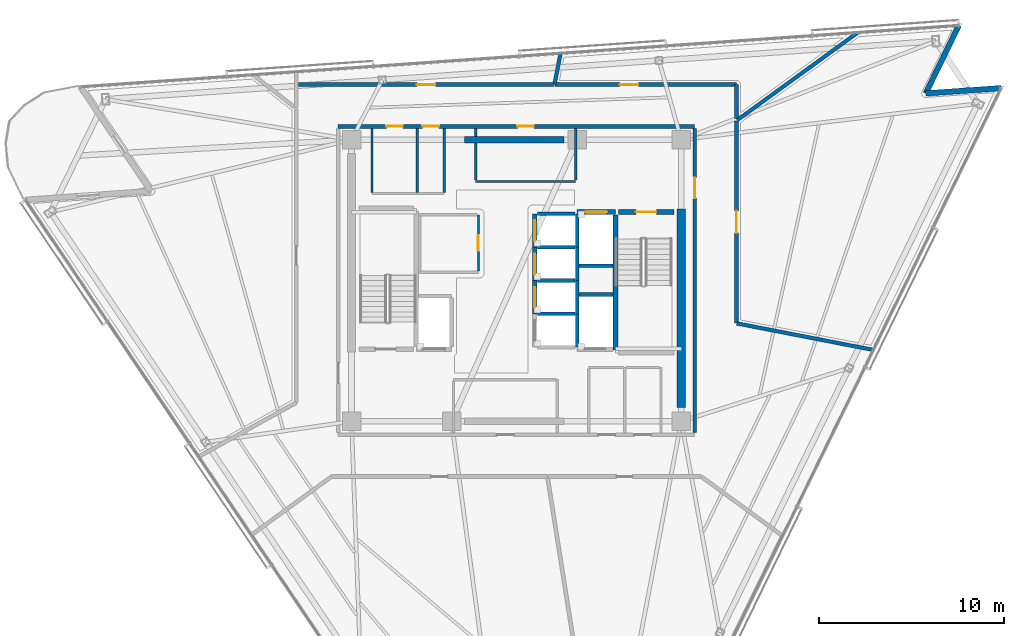
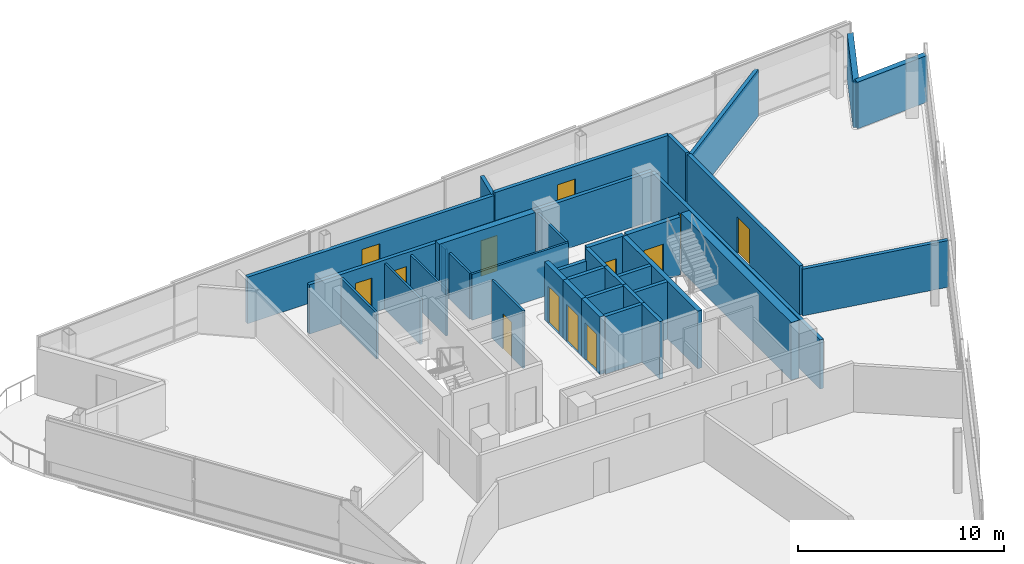
# One storey, part 10 of 15: 37 walls, 13 doors, 13 openings.
"""IFC4 building model written with IfcOpenShell, lengths in metres."""

from ifc_helpers import new_model, si_unit, direction, frame, frame_2d, origin, place, context, subcontext, project, spatial, rectangle, extrude, material, layer, layer_set, type_object, element, fill, save


model = new_model("IFC4")

# Units and contexts
model_context = context("Model", 3, precision=1e-05, world=origin(), true_north=direction((0.0, 1.0)))
body_context = subcontext(model_context, "Body", "Model", "MODEL_VIEW")
ifc_project = project(units=[si_unit("LENGTHUNIT", "METRE"), si_unit("AREAUNIT", "SQUARE_METRE"), si_unit("VOLUMEUNIT", "CUBIC_METRE"), si_unit("PLANEANGLEUNIT", "RADIAN"), si_unit("MASSUNIT", "GRAM", prefix="KILO")], contexts=[model_context])

# Site, building, storey
site_placement = place(None, origin())
site = spatial("IfcSite", under=ifc_project, at=site_placement, CompositionType="ELEMENT")
building_placement = place(site_placement, origin())
building = spatial("IfcBuilding", under=site, at=building_placement, Name="Tharavind Bronze Gate", CompositionType="ELEMENT")
storey_placement = place(building_placement, frame((0.0, 0.0, 267.800048828125)))
storey = spatial("IfcBuildingStorey", under=building, at=storey_placement, Name="L69", CompositionType="ELEMENT", Elevation=267.800048828125)

# Walls
ifc_material_1 = material(Name="Concrete C40/50", Category="concrete")
ifc_layer_1 = layer(ifc_material_1, 0.300048828125)
ifc_layer_set_1 = layer_set([ifc_layer_1], Name="Concrete C40/50")
wall_type_1 = type_object("IfcWallType", Name="EXTERIOR SPANDREL WALL 300", PredefinedType="STANDARD", material=ifc_layer_set_1)
for number, where, z_axis, x_axis, name in (
    (1, (26.1552734375, 10.388427734375, 0.0), (0.0, 0.0, 1.0), (-0.997565400947, -0.06973715533, 0.0), "L69 notch cheek wall 3A"),
    (2, (22.09716796875, 10.104736328125, 0.0), (0.0, 0.0, 1.0), (0.438405895792, 0.898777097246, 0.0), "L69 notch cheek wall 3B"),
):
    element("IfcWall", number, at=place(storey_placement, frame(where, z_axis=z_axis, x_axis=x_axis)), inside=storey, type_object=wall_type_1, Name=name, PredefinedType="STANDARD", context=body_context, shape_type="SweptSolid", body=[
        extrude(rectangle(XDim=4.068115234375, YDim=0.300048828125, at=frame_2d((2.0341796875, 0.0))), origin(), (0.0, 0.0, 1.0), 2.764892578125),
    ])

# Wall, openings, doors
ifc_material_2 = material(Name="Aerated Concrete Block", Category="concrete")
ifc_layer_2 = layer(ifc_material_2, 0.199951171875)
ifc_layer_set_2 = layer_set([ifc_layer_2], Name="Aerated Concrete Block")
wall_type_2 = type_object("IfcWallType", Name="FIRE RATED PARTITION 200", PredefinedType="PARTITIONING", material=ifc_layer_set_2)
wall_1_placement = place(storey_placement, frame((9.6201171875, 8.320068359375, 0.0), z_axis=(0.0, 0.0, 1.0), x_axis=(-1.0, 0.0, 0.0)))
wall_1 = element("IfcWall", 3, at=wall_1_placement, inside=storey, type_object=wall_type_2, Name="L69 north core corridor wall", PredefinedType="PARTITIONING", context=body_context, shape_type="SweptSolid", body=[
    extrude(rectangle(XDim=19.240234375, YDim=0.199951171875, at=frame_2d((9.6201171875, 0.0))), origin(), (0.0, 0.0, 1.0), 2.9150390625),
])
opening_1_placement = place(wall_1_placement, frame((8.669921875, 0.0, 0.0)))
opening_1 = element("IfcOpeningElement", 4, at=opening_1_placement, cuts=wall_1, Name="Opening ID07", PredefinedType="OPENING", context=body_context, shape_type="SweptSolid", body=[
    extrude(rectangle(XDim=0.89990234375, YDim=2.10009765625, at=frame_2d((0.449951171875, 1.050048828125))), frame((0.0, 0.11009765625, 0.0), z_axis=(0.0, -1.0, 0.0), x_axis=(1.0, 0.0, 0.0)), (0.0, 0.0, 1.0), 0.219951171875),
])
opening_2_placement = place(wall_1_placement, frame((15.7451171875, 0.0, 0.0)))
opening_2 = element("IfcOpeningElement", 5, at=opening_2_placement, cuts=wall_1, Name="Opening ID07", PredefinedType="OPENING", context=body_context, shape_type="SweptSolid", body=[
    extrude(rectangle(XDim=0.89990234375, YDim=2.10009765625, at=frame_2d((0.449951171875, 1.050048828125))), frame((0.0, 0.11009765625, 0.0), z_axis=(0.0, -1.0, 0.0), x_axis=(1.0, 0.0, 0.0)), (0.0, 0.0, 1.0), 0.219951171875),
])
opening_3_placement = place(wall_1_placement, frame((13.794921875, 0.0, 0.0)))
opening_3 = element("IfcOpeningElement", 6, at=opening_3_placement, cuts=wall_1, Name="Opening ID07", PredefinedType="OPENING", context=body_context, shape_type="SweptSolid", body=[
    extrude(rectangle(XDim=0.89990234375, YDim=2.10009765625, at=frame_2d((0.449951171875, 1.050048828125))), frame((0.0, 0.11009765625, 0.0), z_axis=(0.0, -1.0, 0.0), x_axis=(1.0, 0.0, 0.0)), (0.0, 0.0, 1.0), 0.219951171875),
])
ifc_material_3 = material(Name="Galvanised Fire Steel", Category="steel")
door_type_1 = type_object("IfcDoorType", Name="PLANT AND RISER FIRE DOOR 900X2100", OperationType="SINGLE_SWING_LEFT", PredefinedType="DOOR", material=ifc_material_3)
door_1_placement = place(opening_1_placement, origin())
door_1 = element("IfcDoor", 7, at=door_1_placement, inside=storey, type_object=door_type_1, Name="L69 Core Avionics Room fire door", OperationType="SINGLE_SWING_LEFT", OverallHeight=2.10009765625, OverallWidth=0.89990234375, PredefinedType="DOOR", context=body_context, shape_type="SweptSolid", body=[
    extrude(rectangle(XDim=0.89990234375, YDim=2.10009765625, at=frame_2d((0.449951171875, 1.050048828125))), frame((0.0, 0.02490234375, 0.0), z_axis=(0.0, -1.0, 0.0), x_axis=(1.0, 0.0, 0.0)), (0.0, 0.0, 1.0), 0.050048828125),
])
fill(opening_1, door_1)
door_2_placement = place(opening_2_placement, origin())
door_2 = element("IfcDoor", 8, at=door_2_placement, inside=storey, type_object=door_type_1, Name="L69 Electrical Metering Room fire door", OperationType="SINGLE_SWING_LEFT", OverallHeight=2.10009765625, OverallWidth=0.89990234375, PredefinedType="DOOR", context=body_context, shape_type="SweptSolid", body=[
    extrude(rectangle(XDim=0.89990234375, YDim=2.10009765625, at=frame_2d((0.449951171875, 1.050048828125))), frame((0.0, 0.02490234375, 0.0), z_axis=(0.0, -1.0, 0.0), x_axis=(1.0, 0.0, 0.0)), (0.0, 0.0, 1.0), 0.050048828125),
])
fill(opening_2, door_2)
door_3_placement = place(opening_3_placement, origin())
door_3 = element("IfcDoor", 9, at=door_3_placement, inside=storey, type_object=door_type_1, Name="L69 Linen Cupboard fire door", OperationType="SINGLE_SWING_LEFT", OverallHeight=2.10009765625, OverallWidth=0.89990234375, PredefinedType="DOOR", context=body_context, shape_type="SweptSolid", body=[
    extrude(rectangle(XDim=0.89990234375, YDim=2.10009765625, at=frame_2d((0.449951171875, 1.050048828125))), frame((0.0, 0.02490234375, 0.0), z_axis=(0.0, -1.0, 0.0), x_axis=(1.0, 0.0, 0.0)), (0.0, 0.0, 1.0), 0.050048828125),
])
fill(opening_3, door_3)

# Wall, opening, door
wall_2_placement = place(storey_placement, frame((9.6201171875, -8.199951171875, 0.0), z_axis=(0.0, 0.0, 1.0), x_axis=(0.0, 1.0, 0.0)))
wall_2 = element("IfcWall", 10, at=wall_2_placement, inside=storey, type_object=wall_type_2, Name="L69 east core corridor wall", PredefinedType="PARTITIONING", context=body_context, shape_type="SweptSolid", body=[
    extrude(rectangle(XDim=16.39990234375, YDim=0.199951171875, at=frame_2d((8.199951171875, 0.0))), origin(), (0.0, 0.0, 1.0), 2.9150390625),
])
opening_4_placement = place(wall_2_placement, frame((12.64990234375, 0.0, 0.0)))
opening_4 = element("IfcOpeningElement", 11, at=opening_4_placement, cuts=wall_2, Name="Opening ID01", PredefinedType="OPENING", context=body_context, shape_type="SweptSolid", body=[
    extrude(rectangle(XDim=1.10009765625, YDim=2.14990234375, at=frame_2d((0.550048828125, 1.074951171875))), frame((0.0, 0.11009765625, 0.0), z_axis=(0.0, -1.0, 0.0), x_axis=(1.0, 0.0, 0.0)), (0.0, 0.0, 1.0), 0.219951171875),
])
ifc_material_4 = material(Name="Fire-Rated Steel", Category="steel")
door_type_2 = type_object("IfcDoorType", Name="STAIR CORE FIRE DOOR 1100X2150", OperationType="SINGLE_SWING_LEFT", PredefinedType="DOOR", material=ifc_material_4)
door_4_placement = place(opening_4_placement, frame((1.10009765625, 0.0, 0.0), z_axis=(0.0, 0.0, 1.0), x_axis=(-1.0, 0.0, 0.0)))
door_4 = element("IfcDoor", 12, at=door_4_placement, inside=storey, type_object=door_type_2, Name="L69 north east stair lobby fire door", OperationType="SINGLE_SWING_LEFT", OverallHeight=2.14990234375, OverallWidth=1.10009765625, PredefinedType="DOOR", context=body_context, shape_type="SweptSolid", body=[
    extrude(rectangle(XDim=1.10009765625, YDim=2.14990234375, at=frame_2d((0.550048828125, 1.074951171875))), frame((0.0, 0.02490234375, 0.0), z_axis=(0.0, -1.0, 0.0), x_axis=(1.0, 0.0, 0.0)), (0.0, 0.0, 1.0), 0.050048828125),
])
fill(opening_4, door_4)

wall_3_placement = place(storey_placement, frame((11.87939453125, 10.580078125, 0.0), z_axis=(0.0, 0.0, 1.0), x_axis=(-1.0, 0.0, 0.0)))
wall_3 = element("IfcWall", 13, at=wall_3_placement, inside=storey, type_object=wall_type_2, Name="L69 Open Plan Law Chambers partition", PredefinedType="PARTITIONING", context=body_context, shape_type="SweptSolid", body=[
    extrude(rectangle(XDim=9.79248046875, YDim=0.199951171875, at=frame_2d((4.896240234375, 0.0))), origin(), (0.0, 0.0, 1.0), 2.9150390625),
])
opening_5_placement = place(wall_3_placement, frame((5.2958984375, 0.0, 0.0)))
opening_5 = element("IfcOpeningElement", 14, at=opening_5_placement, cuts=wall_3, Name="Opening ID04", PredefinedType="OPENING", context=body_context, shape_type="SweptSolid", body=[
    extrude(rectangle(XDim=1.0, YDim=2.14990234375, at=frame_2d((0.5, 1.074951171875))), frame((0.0, 0.11009765625, 0.0), z_axis=(0.0, -1.0, 0.0), x_axis=(1.0, 0.0, 0.0)), (0.0, 0.0, 1.0), 0.219951171875),
])
ifc_material_5 = material(Name="Bronze Framed Acoustic Timber", Category="wood")
door_type_3 = type_object("IfcDoorType", Name="OFFICE TENANCY DOOR 1000X2150", OperationType="SINGLE_SWING_RIGHT", PredefinedType="DOOR", material=ifc_material_5)
door_5_placement = place(opening_5_placement, origin())
door_5 = element("IfcDoor", 15, at=door_5_placement, inside=storey, type_object=door_type_3, Name="L69 Open Plan Law Chambers door", OperationType="SINGLE_SWING_RIGHT", OverallHeight=2.14990234375, OverallWidth=1.0, PredefinedType="DOOR", context=body_context, shape_type="SweptSolid", body=[
    extrude(rectangle(XDim=1.0, YDim=2.14990234375, at=frame_2d((0.5, 1.074951171875))), frame((0.0, 0.02490234375, 0.0), z_axis=(0.0, -1.0, 0.0), x_axis=(1.0, 0.0, 0.0)), (0.0, 0.0, 1.0), 0.050048828125),
])
fill(opening_5, door_5)

# Walls
wall_4_placement = place(storey_placement, frame((2.062255859375, 10.60986328125, 0.0), z_axis=(0.0, 0.0, 1.0), x_axis=(0.190794848405, 0.981629933235, 0.0)))
element("IfcWall", 16, at=wall_4_placement, inside=storey, type_object=wall_type_2, Name="L69 Open Plan Law Chambers partition", PredefinedType="PARTITIONING", context=body_context, shape_type="SweptSolid", body=[
    extrude(rectangle(XDim=1.65966796875, YDim=0.199951171875, at=frame_2d((0.829833984375, 0.0))), origin(), (0.0, 0.0, 1.0), 2.764892578125),
])
wall_5_placement = place(storey_placement, frame((18.41455078125, 13.37890625, 0.0), z_axis=(0.0, 0.0, 1.0), x_axis=(-0.809020043839, -0.587781055043, 0.0)))
element("IfcWall", 17, at=wall_5_placement, inside=storey, type_object=wall_type_2, Name="L69 Open Plan Law Chambers partition", PredefinedType="PARTITIONING", context=body_context, shape_type="SweptSolid", body=[
    extrude(rectangle(XDim=8.028076171875, YDim=0.199951171875, at=frame_2d((4.01416015625, 0.0))), origin(), (0.0, 0.0, 1.0), 2.764892578125),
])
wall_6_placement = place(storey_placement, frame((11.8798828125, 8.760986328125, 0.0), z_axis=(0.0, 0.0, 1.0), x_axis=(0.0, 1.0, 0.0)))
element("IfcWall", 18, at=wall_6_placement, inside=storey, type_object=wall_type_2, Name="L69 Open Plan Law Chambers partition", PredefinedType="PARTITIONING", context=body_context, shape_type="SweptSolid", body=[
    extrude(rectangle(XDim=1.818359375, YDim=0.199951171875, at=frame_2d((0.9091796875, 0.0))), origin(), (0.0, 0.0, 1.0), 2.9150390625),
])

# Wall, opening, door
wall_7_placement = place(storey_placement, frame((2.035888671875, 10.580078125, 0.0), z_axis=(0.0, 0.0, 1.0), x_axis=(-1.0, 0.0, 0.0)))
wall_7 = element("IfcWall", 19, at=wall_7_placement, inside=storey, type_object=wall_type_2, Name="L69 Chambers Study A partition", PredefinedType="PARTITIONING", context=body_context, shape_type="SweptSolid", body=[
    extrude(rectangle(XDim=13.810791015625, YDim=0.199951171875, at=frame_2d((6.9052734375, 0.0))), origin(), (0.0, 0.0, 1.0), 2.764892578125),
])
opening_6_placement = place(wall_7_placement, frame((6.405029296875, 0.0, 0.0)))
opening_6 = element("IfcOpeningElement", 20, at=opening_6_placement, cuts=wall_7, Name="Opening ID04", PredefinedType="OPENING", context=body_context, shape_type="SweptSolid", body=[
    extrude(rectangle(XDim=1.0, YDim=2.14990234375, at=frame_2d((0.5, 1.074951171875))), frame((0.0, 0.11009765625, 0.0), z_axis=(0.0, -1.0, 0.0), x_axis=(1.0, 0.0, 0.0)), (0.0, 0.0, 1.0), 0.219951171875),
])
door_6_placement = place(opening_6_placement, origin())
door_6 = element("IfcDoor", 21, at=door_6_placement, inside=storey, type_object=door_type_3, Name="L69 Chambers Study A door", OperationType="SINGLE_SWING_RIGHT", OverallHeight=2.14990234375, OverallWidth=1.0, PredefinedType="DOOR", context=body_context, shape_type="SweptSolid", body=[
    extrude(rectangle(XDim=1.0, YDim=2.14990234375, at=frame_2d((0.5, 1.074951171875))), frame((0.0, 0.02490234375, 0.0), z_axis=(0.0, -1.0, 0.0), x_axis=(1.0, 0.0, 0.0)), (0.0, 0.0, 1.0), 0.050048828125),
])
fill(opening_6, door_6)

# Wall
wall_8_placement = place(storey_placement, frame((19.243408203125, -3.740478515625, 0.0), z_axis=(0.0, 0.0, 1.0), x_axis=(-0.98163067335, 0.190791040508, 0.0)))
element("IfcWall", 22, at=wall_8_placement, inside=storey, type_object=wall_type_2, Name="L69 Mediation Briefing Room partition", PredefinedType="PARTITIONING", context=body_context, shape_type="SweptSolid", body=[
    extrude(rectangle(XDim=7.480712890625, YDim=0.199951171875, at=frame_2d((3.740234375, 0.0))), origin(), (0.0, 0.0, 1.0), 2.764892578125),
])

# Wall, opening, door
wall_9_placement = place(storey_placement, frame((11.8798828125, -2.28857421875, 0.0), z_axis=(0.0, 0.0, 1.0), x_axis=(0.0, 1.0, 0.0)))
wall_9 = element("IfcWall", 23, at=wall_9_placement, inside=storey, type_object=wall_type_2, Name="L69 Mediation Briefing Room partition", PredefinedType="PARTITIONING", context=body_context, shape_type="SweptSolid", body=[
    extrude(rectangle(XDim=10.9072265625, YDim=0.199951171875, at=frame_2d((5.45361328125, 0.0))), origin(), (0.0, 0.0, 1.0), 2.9150390625),
])
opening_7_placement = place(wall_9_placement, frame((4.85400390625, 0.0, 0.0)))
opening_7 = element("IfcOpeningElement", 24, at=opening_7_placement, cuts=wall_9, Name="Opening ID05", PredefinedType="OPENING", context=body_context, shape_type="SweptSolid", body=[
    extrude(rectangle(XDim=1.199951171875, YDim=2.14990234375, at=frame_2d((0.60009765625, 1.074951171875))), frame((0.0, 0.11009765625, 0.0), z_axis=(0.0, -1.0, 0.0), x_axis=(1.0, 0.0, 0.0)), (0.0, 0.0, 1.0), 0.219951171875),
])
ifc_material_6 = material(Name="Acoustic Laminated Glass", Category="glass")
door_type_4 = type_object("IfcDoorType", Name="MEETING ROOM GLAZED DOOR 1200X2150", OperationType="SINGLE_SWING_LEFT", PredefinedType="DOOR", material=ifc_material_6)
door_7_placement = place(opening_7_placement, origin())
door_7 = element("IfcDoor", 25, at=door_7_placement, inside=storey, type_object=door_type_4, Name="L69 Mediation Briefing Room door", OperationType="SINGLE_SWING_LEFT", OverallHeight=2.14990234375, OverallWidth=1.199951171875, PredefinedType="DOOR", context=body_context, shape_type="SweptSolid", body=[
    extrude(rectangle(XDim=1.199951171875, YDim=2.14990234375, at=frame_2d((0.60009765625, 1.074951171875))), frame((0.0, 0.02490234375, 0.0), z_axis=(0.0, -1.0, 0.0), x_axis=(1.0, 0.0, 0.0)), (0.0, 0.0, 1.0), 0.050048828125),
])
fill(opening_7, door_7)

ifc_material_7 = material(Name="Metal Stud Gypsum Partition", Category="gypsum")
ifc_layer_3 = layer(ifc_material_7, 0.1201171875)
ifc_layer_set_3 = layer_set([ifc_layer_3], Name="Metal Stud Gypsum Partition")
wall_type_3 = type_object("IfcWallType", Name="INTERIOR PARTITION WALL 120", PredefinedType="PARTITIONING", material=ifc_layer_set_3)
wall_10_placement = place(storey_placement, frame((-2.050048828125, 0.514892578125, 0.0), z_axis=(0.0, 0.0, 1.0), x_axis=(0.0, 1.0, 0.0)))
wall_10 = element("IfcWall", 26, at=wall_10_placement, inside=storey, type_object=wall_type_3, Name="L69 Electrical & Telecom Store partition 2", PredefinedType="PARTITIONING", context=body_context, shape_type="SweptSolid", body=[
    extrude(rectangle(XDim=3.03515625, YDim=0.1201171875, at=frame_2d((1.517578125, 0.0))), origin(), (0.0, 0.0, 1.0), 3.419921875),
])
opening_8_placement = place(wall_10_placement, frame((1.092041015625, 0.0, 0.0)))
opening_8 = element("IfcOpeningElement", 27, at=opening_8_placement, cuts=wall_10, Name="Opening ID06", PredefinedType="OPENING", context=body_context, shape_type="SweptSolid", body=[
    extrude(rectangle(XDim=0.85009765625, YDim=2.10009765625, at=frame_2d((0.425048828125, 1.050048828125))), frame((0.0, 0.07005859375, 0.0), z_axis=(0.0, -1.0, 0.0), x_axis=(1.0, 0.0, 0.0)), (0.0, 0.0, 1.0), 0.1401171875),
])
ifc_material_8 = material(Name="Moisture-Resistant Timber", Category="wood")
door_type_5 = type_object("IfcDoorType", Name="BATHROOM PRIVACY DOOR 850X2100", OperationType="SINGLE_SWING_RIGHT", PredefinedType="DOOR", material=ifc_material_8)
door_8_placement = place(opening_8_placement, frame((0.85009765625, 0.0, 0.0), z_axis=(0.0, 0.0, 1.0), x_axis=(-1.0, 0.0, 0.0)))
door_8 = element("IfcDoor", 28, at=door_8_placement, inside=storey, type_object=door_type_5, Name="L69 Electrical & Telecom Store door", OperationType="SINGLE_SWING_RIGHT", OverallHeight=2.10009765625, OverallWidth=0.85009765625, PredefinedType="DOOR", context=body_context, shape_type="SweptSolid", body=[
    extrude(rectangle(XDim=0.85009765625, YDim=2.10009765625, at=frame_2d((0.425048828125, 1.050048828125))), frame((0.0, 0.02490234375, 0.0), z_axis=(0.0, -1.0, 0.0), x_axis=(1.0, 0.0, 0.0)), (0.0, 0.0, 1.0), 0.050048828125),
])
fill(opening_8, door_8)

# Walls
wall_11_placement = place(storey_placement, frame((-2.199951171875, 5.35009765625, 0.0), z_axis=(0.0, 0.0, 1.0), x_axis=(1.0, 0.0, 0.0)))
element("IfcWall", 29, at=wall_11_placement, inside=storey, type_object=wall_type_3, Name="L69 Core Avionics Room partition 1", PredefinedType="PARTITIONING", context=body_context, shape_type="SweptSolid", body=[
    extrude(rectangle(XDim=5.39990234375, YDim=0.1201171875, at=frame_2d((2.699951171875, 0.0))), origin(), (0.0, 0.0, 1.0), 2.71484375),
])
wall_12_placement = place(storey_placement, frame((3.199951171875, 5.4150390625, 0.0), z_axis=(0.0, 0.0, 1.0), x_axis=(0.0, 1.0, 0.0)))
element("IfcWall", 30, at=wall_12_placement, inside=storey, type_object=wall_type_3, Name="L69 Core Avionics Room partition 2", PredefinedType="PARTITIONING", context=body_context, shape_type="SweptSolid", body=[
    extrude(rectangle(XDim=2.800048828125, YDim=0.1201171875, at=frame_2d((1.39990234375, 0.0))), origin(), (0.0, 0.0, 1.0), 2.71484375),
])
wall_13_placement = place(storey_placement, frame((-2.199951171875, 8.215087890625, 0.0), z_axis=(0.0, 0.0, 1.0), x_axis=(0.0, -1.0, 0.0)))
element("IfcWall", 31, at=wall_13_placement, inside=storey, type_object=wall_type_3, Name="L69 Core Avionics Room partition 4", PredefinedType="PARTITIONING", context=body_context, shape_type="SweptSolid", body=[
    extrude(rectangle(XDim=0.43505859375, YDim=0.1201171875, at=frame_2d((0.217529296875, 0.0))), origin(), (0.0, 0.0, 1.0), 2.71484375),
])
wall_14_placement = place(storey_placement, frame((-2.199951171875, 7.419921875, 0.0), z_axis=(0.0, 0.0, 1.0), x_axis=(0.0, -1.0, 0.0)))
element("IfcWall", 32, at=wall_14_placement, inside=storey, type_object=wall_type_3, Name="L69 Core Avionics Room partition 4", PredefinedType="PARTITIONING", context=body_context, shape_type="SweptSolid", body=[
    extrude(rectangle(XDim=2.0048828125, YDim=0.1201171875, at=frame_2d((1.00244140625, 0.0))), origin(), (0.0, 0.0, 1.0), 2.71484375),
])
for number, where, z_axis, x_axis, name in (
    (33, (-5.35009765625, 4.764892578125, 0.0), (0.0, 0.0, 1.0), (0.0, 1.0, 0.0), "L69 Electrical Metering Room partition 2"),
    (34, (-7.800048828125, 8.215087890625, 0.0), (0.0, 0.0, 1.0), (0.0, -1.0, 0.0), "L69 Electrical Metering Room partition 4"),
    (35, (-3.89990234375, 4.764892578125, 0.0), (0.0, 0.0, 1.0), (0.0, 1.0, 0.0), "L69 Linen Cupboard partition 2"),
):
    element("IfcWall", number, at=place(storey_placement, frame(where, z_axis=z_axis, x_axis=x_axis)), inside=storey, type_object=wall_type_3, Name=name, PredefinedType="PARTITIONING", context=body_context, shape_type="SweptSolid", body=[
        extrude(rectangle(XDim=3.4501953125, YDim=0.1201171875, at=frame_2d((1.72509765625, 0.0))), origin(), (0.0, 0.0, 1.0), 2.71484375),
    ])
ifc_material_9 = material(Name="Concrete C50/60", Category="concrete")
ifc_layer_4 = layer(ifc_material_9, 0.25)
ifc_layer_set_4 = layer_set([ifc_layer_4], Name="Concrete C50/60")
wall_type_4 = type_object("IfcWallType", Name="RC CORE SHEAR WALL 250", PredefinedType="SHEAR", material=ifc_layer_set_4)
wall_15_placement = place(storey_placement, frame((5.35009765625, -3.75, 0.0), z_axis=(0.0, 0.0, 1.0), x_axis=(0.0, 1.0, 0.0)))
element("IfcWall", 36, at=wall_15_placement, inside=storey, type_object=wall_type_4, Name="L69 ST2 shaft west wall", PredefinedType="SHEAR", context=body_context, shape_type="SweptSolid", body=[
    extrude(rectangle(XDim=7.300048828125, YDim=0.25, at=frame_2d((3.64990234375, 0.0))), origin(), (0.0, 0.0, 1.0), 3.419921875),
])

# Wall, opening, door
wall_16_placement = place(storey_placement, frame((5.5, 3.699951171875, 0.0), z_axis=(0.0, 0.0, 1.0), x_axis=(1.0, 0.0, 0.0)))
wall_16 = element("IfcWall", 37, at=wall_16_placement, inside=storey, type_object=wall_type_4, Name="L69 ST2 shaft north wall", PredefinedType="SHEAR", context=body_context, shape_type="SweptSolid", body=[
    extrude(rectangle(XDim=3.0, YDim=0.25, at=frame_2d((1.5, 0.0))), origin(), (0.0, 0.0, 1.0), 3.419921875),
])
opening_9_placement = place(wall_16_placement, frame((0.949951171875, 0.0, 0.0)))
opening_9 = element("IfcOpeningElement", 38, at=opening_9_placement, cuts=wall_16, Name="Opening ID01", PredefinedType="OPENING", context=body_context, shape_type="SweptSolid", body=[
    extrude(rectangle(XDim=1.10009765625, YDim=2.14990234375, at=frame_2d((0.550048828125, 1.074951171875))), frame((0.0, 0.135, 0.0), z_axis=(0.0, -1.0, 0.0), x_axis=(1.0, 0.0, 0.0)), (0.0, 0.0, 1.0), 0.27),
])
door_9_placement = place(opening_9_placement, frame((1.10009765625, 0.0, 0.0), z_axis=(0.0, 0.0, 1.0), x_axis=(-1.0, 0.0, 0.0)))
door_9 = element("IfcDoor", 39, at=door_9_placement, inside=storey, type_object=door_type_2, Name="L69 exit stair ST2 fire door", OperationType="SINGLE_SWING_LEFT", OverallHeight=2.14990234375, OverallWidth=1.10009765625, PredefinedType="DOOR", context=body_context, shape_type="SweptSolid", body=[
    extrude(rectangle(XDim=1.10009765625, YDim=2.14990234375, at=frame_2d((0.550048828125, 1.074951171875))), frame((0.0, 0.02490234375, 0.0), z_axis=(0.0, -1.0, 0.0), x_axis=(1.0, 0.0, 0.0)), (0.0, 0.0, 1.0), 0.050048828125),
])
fill(opening_9, door_9)

wall_17_placement = place(storey_placement, frame((1.0, -1.800048828125, 0.0), z_axis=(0.0, 0.0, 1.0), x_axis=(0.0, 1.0, 0.0)))
wall_17 = element("IfcWall", 40, at=wall_17_placement, inside=storey, type_object=wall_type_4, Name="L69 lift PL10 shaft front wall", PredefinedType="SHEAR", context=body_context, shape_type="SweptSolid", body=[
    extrude(rectangle(XDim=1.800048828125, YDim=0.25, at=frame_2d((0.89990234375, 0.0))), origin(), (0.0, 0.0, 1.0), 3.419921875),
])
opening_10_placement = place(wall_17_placement, frame((0.35009765625, 0.0, 0.0)))
opening_10 = element("IfcOpeningElement", 41, at=opening_10_placement, cuts=wall_17, Name="Opening LD01", PredefinedType="OPENING", context=body_context, shape_type="SweptSolid", body=[
    extrude(rectangle(XDim=1.10009765625, YDim=2.199951171875, at=frame_2d((0.550048828125, 1.10009765625))), frame((0.0, 0.135, 0.0), z_axis=(0.0, -1.0, 0.0), x_axis=(1.0, 0.0, 0.0)), (0.0, 0.0, 1.0), 0.27),
])
ifc_material_10 = material(Name="Brushed Bronze Stainless Steel", Category="steel")
door_type_6 = type_object("IfcDoorType", Name="LIFT LANDING SLIDING DOOR 1100X2200", OperationType="SLIDING_TO_LEFT", PredefinedType="DOOR", material=ifc_material_10)
door_10_placement = place(opening_10_placement, origin())
door_10 = element("IfcDoor", 42, at=door_10_placement, inside=storey, type_object=door_type_6, Name="L69 lift PL10 sliding landing door", OperationType="SLIDING_TO_LEFT", OverallHeight=2.199951171875, OverallWidth=1.10009765625, PredefinedType="DOOR", context=body_context, shape_type="SweptSolid", body=[
    extrude(rectangle(XDim=1.10009765625, YDim=2.199951171875, at=frame_2d((0.550048828125, 1.10009765625))), frame((0.0, 0.02490234375, 0.0), z_axis=(0.0, -1.0, 0.0), x_axis=(1.0, 0.0, 0.0)), (0.0, 0.0, 1.0), 0.050048828125),
])
fill(opening_10, door_10)

wall_18_placement = place(storey_placement, frame((1.0, 0.0, 0.0), z_axis=(0.0, 0.0, 1.0), x_axis=(0.0, 1.0, 0.0)))
wall_18 = element("IfcWall", 43, at=wall_18_placement, inside=storey, type_object=wall_type_4, Name="L69 lift PL11 shaft front wall", PredefinedType="SHEAR", context=body_context, shape_type="SweptSolid", body=[
    extrude(rectangle(XDim=1.800048828125, YDim=0.25, at=frame_2d((0.89990234375, 0.0))), origin(), (0.0, 0.0, 1.0), 3.419921875),
])
opening_11_placement = place(wall_18_placement, frame((0.35009765625, 0.0, 0.0)))
opening_11 = element("IfcOpeningElement", 44, at=opening_11_placement, cuts=wall_18, Name="Opening LD01", PredefinedType="OPENING", context=body_context, shape_type="SweptSolid", body=[
    extrude(rectangle(XDim=1.10009765625, YDim=2.199951171875, at=frame_2d((0.550048828125, 1.10009765625))), frame((0.0, 0.135, 0.0), z_axis=(0.0, -1.0, 0.0), x_axis=(1.0, 0.0, 0.0)), (0.0, 0.0, 1.0), 0.27),
])
door_11_placement = place(opening_11_placement, origin())
door_11 = element("IfcDoor", 45, at=door_11_placement, inside=storey, type_object=door_type_6, Name="L69 lift PL11 sliding landing door", OperationType="SLIDING_TO_LEFT", OverallHeight=2.199951171875, OverallWidth=1.10009765625, PredefinedType="DOOR", context=body_context, shape_type="SweptSolid", body=[
    extrude(rectangle(XDim=1.10009765625, YDim=2.199951171875, at=frame_2d((0.550048828125, 1.10009765625))), frame((0.0, 0.02490234375, 0.0), z_axis=(0.0, -1.0, 0.0), x_axis=(1.0, 0.0, 0.0)), (0.0, 0.0, 1.0), 0.050048828125),
])
fill(opening_11, door_11)

wall_19_placement = place(storey_placement, frame((1.0, 1.800048828125, 0.0), z_axis=(0.0, 0.0, 1.0), x_axis=(0.0, 1.0, 0.0)))
wall_19 = element("IfcWall", 46, at=wall_19_placement, inside=storey, type_object=wall_type_4, Name="L69 lift PL12 shaft front wall", PredefinedType="SHEAR", context=body_context, shape_type="SweptSolid", body=[
    extrude(rectangle(XDim=1.800048828125, YDim=0.25, at=frame_2d((0.89990234375, 0.0))), origin(), (0.0, 0.0, 1.0), 3.419921875),
])
opening_12_placement = place(wall_19_placement, frame((0.35009765625, 0.0, 0.0)))
opening_12 = element("IfcOpeningElement", 47, at=opening_12_placement, cuts=wall_19, Name="Opening LD01", PredefinedType="OPENING", context=body_context, shape_type="SweptSolid", body=[
    extrude(rectangle(XDim=1.10009765625, YDim=2.199951171875, at=frame_2d((0.550048828125, 1.10009765625))), frame((0.0, 0.135, 0.0), z_axis=(0.0, -1.0, 0.0), x_axis=(1.0, 0.0, 0.0)), (0.0, 0.0, 1.0), 0.27),
])
door_12_placement = place(opening_12_placement, origin())
door_12 = element("IfcDoor", 48, at=door_12_placement, inside=storey, type_object=door_type_6, Name="L69 lift PL12 sliding landing door", OperationType="SLIDING_TO_LEFT", OverallHeight=2.199951171875, OverallWidth=1.10009765625, PredefinedType="DOOR", context=body_context, shape_type="SweptSolid", body=[
    extrude(rectangle(XDim=1.10009765625, YDim=2.199951171875, at=frame_2d((0.550048828125, 1.10009765625))), frame((0.0, 0.02490234375, 0.0), z_axis=(0.0, -1.0, 0.0), x_axis=(1.0, 0.0, 0.0)), (0.0, 0.0, 1.0), 0.050048828125),
])
fill(opening_12, door_12)

wall_20_placement = place(storey_placement, frame((3.280029296875, 3.699951171875, 0.0), z_axis=(0.0, 0.0, 1.0), x_axis=(1.0, 0.0, 0.0)))
wall_20 = element("IfcWall", 49, at=wall_20_placement, inside=storey, type_object=wall_type_4, Name="L69 lift FFL2 shaft front wall", PredefinedType="SHEAR", context=body_context, shape_type="SweptSolid", body=[
    extrude(rectangle(XDim=2.070068359375, YDim=0.25, at=frame_2d((1.03515625, 0.0))), origin(), (0.0, 0.0, 1.0), 3.419921875),
])
opening_13_placement = place(wall_20_placement, frame((0.43505859375, 0.0, 0.0)))
opening_13 = element("IfcOpeningElement", 50, at=opening_13_placement, cuts=wall_20, Name="Opening LD02", PredefinedType="OPENING", context=body_context, shape_type="SweptSolid", body=[
    extrude(rectangle(XDim=1.199951171875, YDim=2.199951171875, at=frame_2d((0.60009765625, 1.10009765625))), frame((0.0, 0.135, 0.0), z_axis=(0.0, -1.0, 0.0), x_axis=(1.0, 0.0, 0.0)), (0.0, 0.0, 1.0), 0.27),
])
ifc_material_11 = material(Name="Brushed Stainless Steel", Category="steel")
door_type_7 = type_object("IfcDoorType", Name="FIREFIGHTING LIFT LANDING DOOR 1200X2200", OperationType="SLIDING_TO_RIGHT", PredefinedType="DOOR", material=ifc_material_11)
door_13_placement = place(opening_13_placement, origin())
door_13 = element("IfcDoor", 51, at=door_13_placement, inside=storey, type_object=door_type_7, Name="L69 lift FFL2 sliding landing door", OperationType="SLIDING_TO_RIGHT", OverallHeight=2.199951171875, OverallWidth=1.199951171875, PredefinedType="DOOR", context=body_context, shape_type="SweptSolid", body=[
    extrude(rectangle(XDim=1.199951171875, YDim=2.199951171875, at=frame_2d((0.60009765625, 1.10009765625))), frame((0.0, 0.02490234375, 0.0), z_axis=(0.0, -1.0, 0.0), x_axis=(1.0, 0.0, 0.0)), (0.0, 0.0, 1.0), 0.050048828125),
])
fill(opening_13, door_13)

# Walls
ifc_layer_5 = layer(ifc_material_9, 0.35009765625)
ifc_layer_set_5 = layer_set([ifc_layer_5], Name="Concrete C50/60")
wall_type_5 = type_object("IfcWallType", Name="RC CORE SHEAR WALL 350", PredefinedType="SHEAR", material=ifc_layer_set_5)
wall_21_placement = place(storey_placement, frame((-2.800048828125, 7.60009765625, 0.0), z_axis=(0.0, 0.0, 1.0), x_axis=(1.0, 0.0, 0.0)))
element("IfcWall", 52, at=wall_21_placement, inside=storey, type_object=wall_type_5, Name="L69 north core shear wall", PredefinedType="SHEAR", context=body_context, shape_type="SweptSolid", body=[
    extrude(rectangle(XDim=5.380126953125, YDim=0.35009765625, at=frame_2d((2.68994140625, 0.0))), origin(), (0.0, 0.0, 1.0), 3.419921875),
])
ifc_material_12 = material(Name="Concrete C60/75", Category="concrete")
ifc_layer_6 = layer(ifc_material_12, 0.449951171875)
ifc_layer_set_6 = layer_set([ifc_layer_6], Name="Concrete C60/75")
wall_type_6 = type_object("IfcWallType", Name="RC CORE SHEAR WALL 450", PredefinedType="SHEAR", material=ifc_layer_set_6)
wall_22_placement = place(storey_placement, frame((8.89990234375, -6.85009765625, 0.0), z_axis=(0.0, 0.0, 1.0), x_axis=(0.0, 1.0, 0.0)))
element("IfcWall", 53, at=wall_22_placement, inside=storey, type_object=wall_type_6, Name="L69 east core shear wall", PredefinedType="SHEAR", context=body_context, shape_type="SweptSolid", body=[
    extrude(rectangle(XDim=10.7001953125, YDim=0.449951171875, at=frame_2d((5.35009765625, 0.0))), origin(), (0.0, 0.0, 1.0), 3.419921875),
])
ifc_layer_7 = layer(ifc_material_1, 0.199951171875)
ifc_layer_set_7 = layer_set([ifc_layer_7], Name="Concrete C40/50")
wall_type_7 = type_object("IfcWallType", Name="SHAFT ENCLOSURE WALL 200", PredefinedType="PARTITIONING", material=ifc_layer_set_7)
wall_23_placement = place(storey_placement, frame((3.280029296875, -3.60009765625, 0.0), z_axis=(0.0, 0.0, 1.0), x_axis=(0.0, 1.0, 0.0)))
element("IfcWall", 54, at=wall_23_placement, inside=storey, type_object=wall_type_7, Name="L69 lift PL9 shaft E enclosure wall", PredefinedType="PARTITIONING", context=body_context, shape_type="SweptSolid", body=[
    extrude(rectangle(XDim=1.800048828125, YDim=0.199951171875, at=frame_2d((0.89990234375, 0.0))), origin(), (0.0, 0.0, 1.0), 3.419921875),
])
wall_24_placement = place(storey_placement, frame((1.1298828125, -1.800048828125, 0.0), z_axis=(0.0, 0.0, 1.0), x_axis=(1.0, 0.0, 0.0)))
element("IfcWall", 55, at=wall_24_placement, inside=storey, type_object=wall_type_7, Name="L69 lift PL9 shaft N enclosure wall", PredefinedType="PARTITIONING", context=body_context, shape_type="SweptSolid", body=[
    extrude(rectangle(XDim=2.045166015625, YDim=0.199951171875, at=frame_2d((1.0224609375, 0.0))), origin(), (0.0, 0.0, 1.0), 3.419921875),
])
wall_25_placement = place(storey_placement, frame((3.280029296875, -1.800048828125, 0.0), z_axis=(0.0, 0.0, 1.0), x_axis=(0.0, 1.0, 0.0)))
element("IfcWall", 56, at=wall_25_placement, inside=storey, type_object=wall_type_7, Name="L69 lift PL10 shaft E enclosure wall", PredefinedType="PARTITIONING", context=body_context, shape_type="SweptSolid", body=[
    extrude(rectangle(XDim=1.800048828125, YDim=0.199951171875, at=frame_2d((0.89990234375, 0.0))), origin(), (0.0, 0.0, 1.0), 3.419921875),
])
wall_26_placement = place(storey_placement, frame((1.1298828125, 0.0, 0.0), z_axis=(0.0, 0.0, 1.0), x_axis=(1.0, 0.0, 0.0)))
element("IfcWall", 57, at=wall_26_placement, inside=storey, type_object=wall_type_7, Name="L69 lift PL10 shaft N enclosure wall", PredefinedType="PARTITIONING", context=body_context, shape_type="SweptSolid", body=[
    extrude(rectangle(XDim=2.045166015625, YDim=0.199951171875, at=frame_2d((1.0224609375, 0.0))), origin(), (0.0, 0.0, 1.0), 3.419921875),
])
wall_27_placement = place(storey_placement, frame((3.280029296875, 0.0, 0.0), z_axis=(0.0, 0.0, 1.0), x_axis=(0.0, 1.0, 0.0)))
element("IfcWall", 58, at=wall_27_placement, inside=storey, type_object=wall_type_7, Name="L69 lift PL11 shaft E enclosure wall", PredefinedType="PARTITIONING", context=body_context, shape_type="SweptSolid", body=[
    extrude(rectangle(XDim=1.800048828125, YDim=0.199951171875, at=frame_2d((0.89990234375, 0.0))), origin(), (0.0, 0.0, 1.0), 3.419921875),
])
wall_28_placement = place(storey_placement, frame((1.1298828125, 1.800048828125, 0.0), z_axis=(0.0, 0.0, 1.0), x_axis=(1.0, 0.0, 0.0)))
element("IfcWall", 59, at=wall_28_placement, inside=storey, type_object=wall_type_7, Name="L69 lift PL11 shaft N enclosure wall", PredefinedType="PARTITIONING", context=body_context, shape_type="SweptSolid", body=[
    extrude(rectangle(XDim=2.045166015625, YDim=0.199951171875, at=frame_2d((1.0224609375, 0.0))), origin(), (0.0, 0.0, 1.0), 3.419921875),
])
wall_29_placement = place(storey_placement, frame((3.280029296875, 1.800048828125, 0.0), z_axis=(0.0, 0.0, 1.0), x_axis=(0.0, 1.0, 0.0)))
element("IfcWall", 60, at=wall_29_placement, inside=storey, type_object=wall_type_7, Name="L69 lift PL12 shaft E enclosure wall", PredefinedType="PARTITIONING", context=body_context, shape_type="SweptSolid", body=[
    extrude(rectangle(XDim=1.800048828125, YDim=0.199951171875, at=frame_2d((0.89990234375, 0.0))), origin(), (0.0, 0.0, 1.0), 3.419921875),
])
wall_30_placement = place(storey_placement, frame((1.1298828125, 3.60009765625, 0.0), z_axis=(0.0, 0.0, 1.0), x_axis=(1.0, 0.0, 0.0)))
element("IfcWall", 61, at=wall_30_placement, inside=storey, type_object=wall_type_7, Name="L69 lift PL12 shaft N enclosure wall", PredefinedType="PARTITIONING", context=body_context, shape_type="SweptSolid", body=[
    extrude(rectangle(XDim=2.045166015625, YDim=0.199951171875, at=frame_2d((1.0224609375, 0.0))), origin(), (0.0, 0.0, 1.0), 2.71484375),
])
for number, where, z_axis, x_axis, name in (
    (62, (3.385009765625, 0.800048828125, 0.0), (0.0, 0.0, 1.0), (1.0, 0.0, 0.0), "L69 lift FFL2 shaft S enclosure wall"),
    (63, (3.385009765625, -0.75, 0.0), (0.0, 0.0, 1.0), (1.0, 0.0, 0.0), "L69 lift SVL1 shaft N enclosure wall"),
):
    element("IfcWall", number, at=place(storey_placement, frame(where, z_axis=z_axis, x_axis=x_axis)), inside=storey, type_object=wall_type_7, Name=name, PredefinedType="PARTITIONING", context=body_context, shape_type="SweptSolid", body=[
        extrude(rectangle(XDim=1.8349609375, YDim=0.199951171875, at=frame_2d((0.91748046875, 0.0))), origin(), (0.0, 0.0, 1.0), 3.419921875),
    ])

save(model, "model.ifc")
